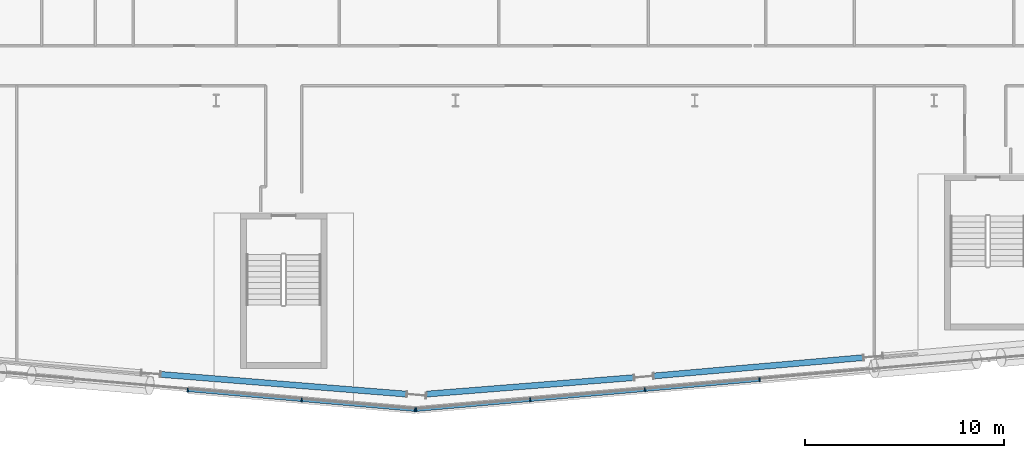
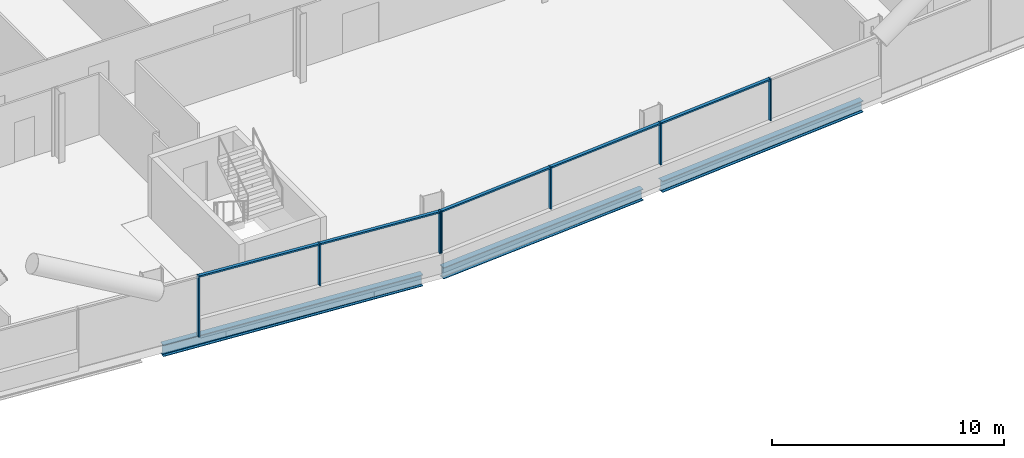
# One storey, part 6 of 27: 12 members, 3 beams, 2 elements without a shape of their own.
"""IFC4 building model written with IfcOpenShell, lengths in metres."""

from ifc_helpers import new_model, si_unit, direction, frame, origin, origin_2d, place, context, subcontext, project, spatial, rectangle, i_section, extrude, material, material_profile, profile_set, type_object, element, aggregate, save


model = new_model("IFC4")

# Units and contexts
model_context = context("Model", 3, precision=1e-05, world=origin(), true_north=direction((0.0, 1.0)))
body_context = subcontext(model_context, "Body", "Model", "MODEL_VIEW")
ifc_project = project(units=[si_unit("LENGTHUNIT", "METRE"), si_unit("AREAUNIT", "SQUARE_METRE"), si_unit("VOLUMEUNIT", "CUBIC_METRE"), si_unit("PLANEANGLEUNIT", "RADIAN"), si_unit("MASSUNIT", "GRAM", prefix="KILO")], contexts=[model_context])

# Site, building, storey
site_placement = place(None, origin())
site = spatial("IfcSite", under=ifc_project, at=site_placement, CompositionType="ELEMENT")
building_placement = place(site_placement, origin())
building = spatial("IfcBuilding", under=site, at=building_placement, Name="Wharfspan Tower", CompositionType="ELEMENT")
storey_placement = place(building_placement, frame((0.0, 0.0, 45.100098)))
storey = spatial("IfcBuildingStorey", under=building, at=storey_placement, Name="L07", CompositionType="ELEMENT", Elevation=45.100098)

# Beams
ifc_material_1 = material(Name="Steel S355J2", Category="steel")
ifc_material_profile_1 = material_profile(ifc_material_1, i_section(OverallWidth=0.300049, OverallDepth=0.600098, WebThickness=0.015381, FlangeThickness=0.030029, FilletRadius=0.0271, at=origin_2d()))
ifc_profile_set_1 = profile_set([ifc_material_profile_1], Name="Steel S355J2")
beam_type = type_object("IfcBeamType", Name="Edge beam HEB 600", PredefinedType="SPANDREL", material=ifc_profile_set_1)
beam_1_placement = place(storey_placement, frame((33.222656, -2.240479, -0.700195), z_axis=(0.996802, -0.079913, 0.0), x_axis=(0.079913, 0.996802, 0.0)))
element("IfcBeam", 1, at=beam_1_placement, inside=storey, type_object=beam_type, Name="Edge beam S1 L07 PS1.3 to PS1.4", PredefinedType="SPANDREL", context=body_context, shape_type="SweptSolid", body=[
    extrude(i_section(OverallWidth=0.300049, OverallDepth=0.600098, WebThickness=0.015381, FlangeThickness=0.030029, FilletRadius=0.0271, at=origin_2d()), origin(), (0.0, 0.0, 1.0), 12.36084),
])
beam_2_placement = place(storey_placement, frame((46.547852, -3.228027, -0.700195), z_axis=(0.996848, 0.079335, 0.0), x_axis=(-0.079335, 0.996848, 0.0)))
element("IfcBeam", 2, at=beam_2_placement, inside=storey, type_object=beam_type, Name="Edge beam S2 L07 PS1.4 to PS2.1", PredefinedType="SPANDREL", context=body_context, shape_type="SweptSolid", body=[
    extrude(i_section(OverallWidth=0.300049, OverallDepth=0.600098, WebThickness=0.015381, FlangeThickness=0.030029, FilletRadius=0.0271, at=origin_2d()), origin(), (0.0, 0.0, 1.0), 10.429199),
])
beam_3_placement = place(storey_placement, frame((57.940674, -2.317383, -0.700195), z_axis=(0.996195, 0.087155, 0.0), x_axis=(-0.087155, 0.996195, 0.0)))
element("IfcBeam", 3, at=beam_3_placement, inside=storey, type_object=beam_type, Name="Edge beam S2 L07 PS2.1 to PS2.2", PredefinedType="SPANDREL", context=body_context, shape_type="SweptSolid", body=[
    extrude(i_section(OverallWidth=0.300049, OverallDepth=0.600098, WebThickness=0.015381, FlangeThickness=0.030029, FilletRadius=0.0271, at=origin_2d()), origin(), (0.0, 0.0, 1.0), 10.543701),
])

# Curtain wall, members
ifc_material_2 = material(Name="Aluminium 6063-T6", Category="aluminium")
curtain_wall_type = type_object("IfcCurtainWallType", Name="CURTAIN WALL FACETED FRONT", PredefinedType="NOTDEFINED", material=ifc_material_2)
curtain_wall_1_placement = place(storey_placement, origin())
curtain_wall_1 = element("IfcCurtainWall", 4, at=curtain_wall_1_placement, inside=storey, type_object=curtain_wall_type, Name="Curtain wall S1", PredefinedType="NOTDEFINED")
ifc_material_profile_2 = material_profile(ifc_material_2, rectangle(XDim=0.199951, YDim=0.060059, at=origin_2d()))
ifc_profile_set_2 = profile_set([ifc_material_profile_2], Name="Aluminium 6063-T6")
member_type_1 = type_object("IfcMemberType", Name="MULLION FACETED FRONT 60x200", PredefinedType="MULLION", material=ifc_profile_set_2)
member_1_placement = place(storey_placement, frame((34.571533, -3.024658, 0.0), z_axis=(0.0, 0.0, 1.0), x_axis=(0.087156, 0.996197, 0.0)))
member_1 = element("IfcMember", 5, at=member_1_placement, type_object=member_type_1, Name="Curtain wall S1 mullion 6", PredefinedType="MULLION", context=body_context, shape_type="SweptSolid", body=[
    extrude(rectangle(XDim=0.199951, YDim=0.060059, at=origin_2d()), origin(), (0.0, 0.0, 1.0), 3.199951),
])
member_2_placement = place(storey_placement, frame((40.285645, -3.524658, 1.0), z_axis=(0.0, 0.0, 1.0), x_axis=(0.087156, 0.996197, 0.0)))
member_2 = element("IfcMember", 6, at=member_2_placement, type_object=member_type_1, Name="Curtain wall S1 mullion 7", PredefinedType="MULLION", context=body_context, shape_type="SweptSolid", body=[
    extrude(rectangle(XDim=0.199951, YDim=0.060059, at=origin_2d()), origin(), (0.0, 0.0, 1.0), 2.199951),
])
member_3_placement = place(storey_placement, frame((45.970215, -4.021973, 1.0), z_axis=(0.0, 0.0, 1.0), x_axis=(0.087156, 0.996197, 0.0)))
member_3 = element("IfcMember", 7, at=member_3_placement, type_object=member_type_1, Name="Curtain wall S1 mullion 8", PredefinedType="MULLION", context=body_context, shape_type="SweptSolid", body=[
    extrude(rectangle(XDim=0.199951, YDim=0.060059, at=origin_2d()), origin(), (0.0, 0.0, 1.0), 2.199951),
])

curtain_wall_2_placement = place(storey_placement, origin())
curtain_wall_2 = element("IfcCurtainWall", 8, at=curtain_wall_2_placement, inside=storey, type_object=curtain_wall_type, Name="Curtain wall S2", PredefinedType="NOTDEFINED")
member_4_placement = place(storey_placement, frame((46.029785, -4.021973, 1.0), z_axis=(0.0, 0.0, 1.0), x_axis=(-0.087156, 0.996197, 0.0)))
member_4 = element("IfcMember", 9, at=member_4_placement, type_object=member_type_1, Name="Curtain wall S2 mullion 1", PredefinedType="MULLION", context=body_context, shape_type="SweptSolid", body=[
    extrude(rectangle(XDim=0.199951, YDim=0.060059, at=origin_2d()), origin(), (0.0, 0.0, 1.0), 2.199951),
])
member_5_placement = place(storey_placement, frame((51.75, -3.521484, 1.0), z_axis=(0.0, 0.0, 1.0), x_axis=(-0.087156, 0.996197, 0.0)))
member_5 = element("IfcMember", 10, at=member_5_placement, type_object=member_type_1, Name="Curtain wall S2 mullion 2", PredefinedType="MULLION", context=body_context, shape_type="SweptSolid", body=[
    extrude(rectangle(XDim=0.199951, YDim=0.060059, at=origin_2d()), origin(), (0.0, 0.0, 1.0), 2.199951),
])
member_6_placement = place(storey_placement, frame((57.5, -3.018311, 1.0), z_axis=(0.0, 0.0, 1.0), x_axis=(-0.087156, 0.996197, 0.0)))
member_6 = element("IfcMember", 11, at=member_6_placement, type_object=member_type_1, Name="Curtain wall S2 mullion 3", PredefinedType="MULLION", context=body_context, shape_type="SweptSolid", body=[
    extrude(rectangle(XDim=0.199951, YDim=0.060059, at=origin_2d()), origin(), (0.0, 0.0, 1.0), 2.199951),
])
member_7_placement = place(storey_placement, frame((63.25, -2.515381, 1.0), z_axis=(0.0, 0.0, 1.0), x_axis=(-0.087156, 0.996197, 0.0)))
member_7 = element("IfcMember", 12, at=member_7_placement, type_object=member_type_1, Name="Curtain wall S2 mullion 4", PredefinedType="MULLION", context=body_context, shape_type="SweptSolid", body=[
    extrude(rectangle(XDim=0.199951, YDim=0.060059, at=origin_2d()), origin(), (0.0, 0.0, 1.0), 2.199951),
])

# Member
ifc_material_profile_3 = material_profile(ifc_material_2, rectangle(XDim=0.159912, YDim=0.080078, at=origin_2d()))
ifc_profile_set_3 = profile_set([ifc_material_profile_3], Name="Aluminium 6063-T6")
member_type_2 = type_object("IfcMemberType", Name="TRANSOM FACETED FRONT 80x160", PredefinedType="USERDEFINED", material=ifc_profile_set_3)
member_8_placement = place(storey_placement, frame((34.601318, -3.027344, 3.159912), z_axis=(0.996196, -0.087142, 0.0), x_axis=(0.087142, 0.996196, 0.0)))
member_8 = element("IfcMember", 13, at=member_8_placement, type_object=member_type_2, Name="Curtain wall S1 transom 6", ObjectType="TRANSOM", PredefinedType="USERDEFINED", context=body_context, shape_type="SweptSolid", body=[
    extrude(rectangle(XDim=0.159912, YDim=0.080078, at=origin_2d()), origin(), (0.0, 0.0, 1.0), 5.676025),
])

member_9_placement = place(storey_placement, frame((40.315674, -3.5271, 3.159912), z_axis=(0.996193, -0.087174, 0.0), x_axis=(0.087174, 0.996193, 0.0)))
member_9 = element("IfcMember", 14, at=member_9_placement, type_object=member_type_2, Name="Curtain wall S1 transom 7", ObjectType="TRANSOM", PredefinedType="USERDEFINED", context=body_context, shape_type="SweptSolid", body=[
    extrude(rectangle(XDim=0.159912, YDim=0.080078, at=origin_2d()), origin(), (0.0, 0.0, 1.0), 5.645996),
])

aggregate(curtain_wall_1, [member_1, member_2, member_3, member_8, member_9])

member_10_placement = place(storey_placement, frame((46.059814, -4.019287, 3.159912), z_axis=(0.996193, 0.08718, 0.0), x_axis=(-0.08718, 0.996193, 0.0)))
member_10 = element("IfcMember", 15, at=member_10_placement, type_object=member_type_2, Name="Curtain wall S2 transom 1", ObjectType="TRANSOM", PredefinedType="USERDEFINED", context=body_context, shape_type="SweptSolid", body=[
    extrude(rectangle(XDim=0.159912, YDim=0.080078, at=origin_2d()), origin(), (0.0, 0.0, 1.0), 5.682129),
])

member_11_placement = place(storey_placement, frame((51.779785, -3.518799, 3.159912), z_axis=(0.996195, 0.087148, 0.0), x_axis=(-0.087148, 0.996195, 0.0)))
member_11 = element("IfcMember", 16, at=member_11_placement, type_object=member_type_2, Name="Curtain wall S2 transom 2", ObjectType="TRANSOM", PredefinedType="USERDEFINED", context=body_context, shape_type="SweptSolid", body=[
    extrude(rectangle(XDim=0.159912, YDim=0.080078, at=origin_2d()), origin(), (0.0, 0.0, 1.0), 5.712158),
])

member_12_placement = place(storey_placement, frame((57.529785, -3.015625, 3.159912), z_axis=(0.996195, 0.087148, 0.0), x_axis=(-0.087148, 0.996195, 0.0)))
member_12 = element("IfcMember", 17, at=member_12_placement, type_object=member_type_2, Name="Curtain wall S2 transom 3", ObjectType="TRANSOM", PredefinedType="USERDEFINED", context=body_context, shape_type="SweptSolid", body=[
    extrude(rectangle(XDim=0.159912, YDim=0.080078, at=origin_2d()), origin(), (0.0, 0.0, 1.0), 5.712158),
])

aggregate(curtain_wall_2, [member_4, member_5, member_6, member_7, member_10, member_11, member_12])

save(model, "model.ifc")
